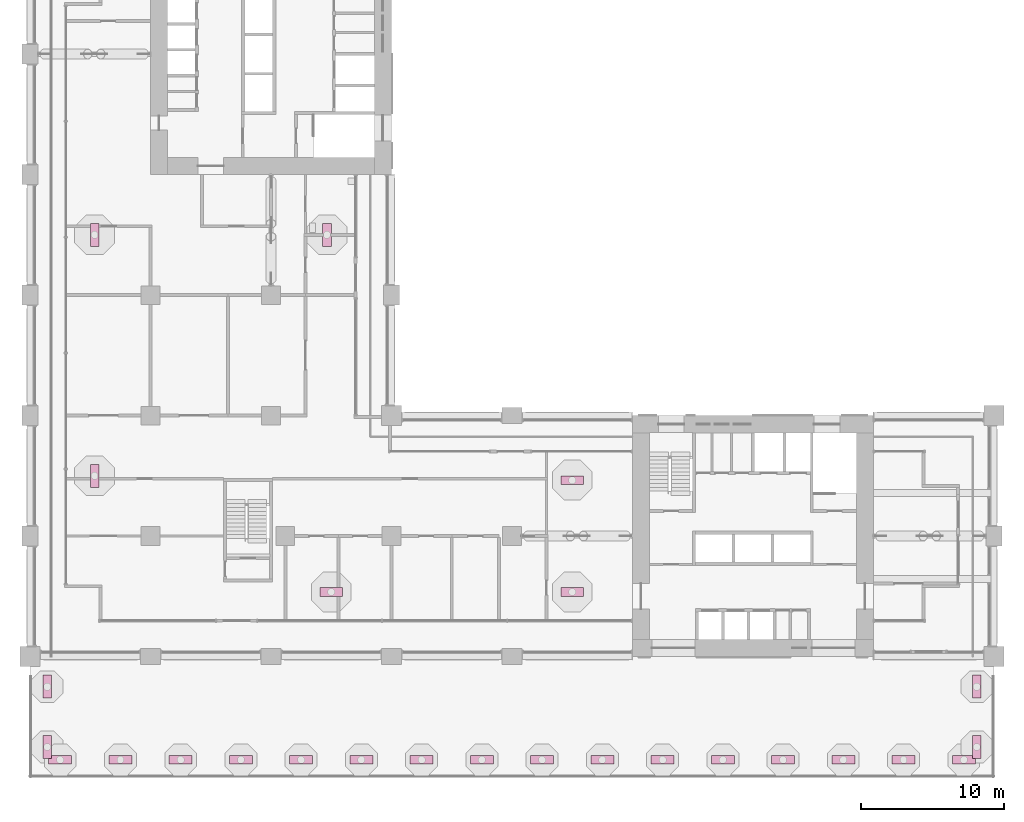
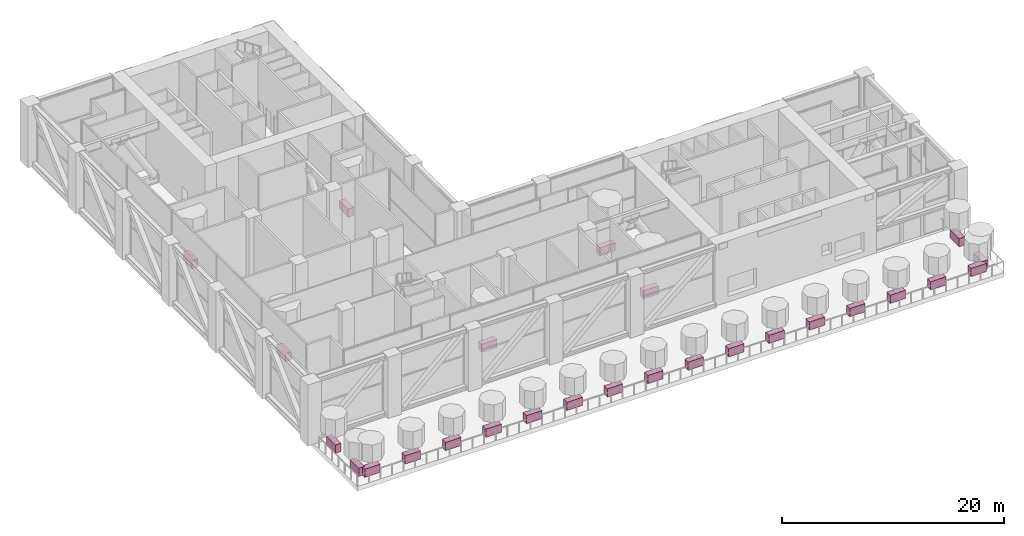
# One storey, part 26 of 28: 26 furniture elements.
"""IFC4 building model written with IfcOpenShell, lengths in metres."""

from ifc_helpers import new_model, si_unit, direction, frame, origin, origin_2d, place, context, subcontext, project, spatial, rectangle, extrude, material, element, save


model = new_model("IFC4")

# Units and contexts
model_context = context("Model", 3, precision=1e-05, world=origin(), true_north=direction((0.0, 1.0)))
body_context = subcontext(model_context, "Body", "Model", "MODEL_VIEW")
ifc_project = project(units=[si_unit("LENGTHUNIT", "METRE"), si_unit("AREAUNIT", "SQUARE_METRE"), si_unit("VOLUMEUNIT", "CUBIC_METRE"), si_unit("PLANEANGLEUNIT", "RADIAN"), si_unit("MASSUNIT", "GRAM", prefix="KILO")], contexts=[model_context])

# Site, building, storey
site_placement = place(None, origin())
site = spatial("IfcSite", under=ifc_project, at=site_placement, CompositionType="ELEMENT")
building_placement = place(site_placement, origin())
building = spatial("IfcBuilding", under=site, at=building_placement, Name="Vermilion Gate Residences", CompositionType="ELEMENT")
storey_placement = place(building_placement, frame((0.0, 0.0, 74.199951171875)))
storey = spatial("IfcBuildingStorey", under=building, at=storey_placement, Name="L18", CompositionType="ELEMENT", Elevation=74.199951171875)

# Furniture
ifc_material = material(Name="Terracotta planter", Category="masonry")
for number, where, z_axis, x_axis, name in (
    (1, (66.0, 2.10009765625, 0.0), (0.0, 0.0, 1.0), (0.0, 1.0, 0.0), "PLANTER"),
    (2, (66.0, 6.300048828125, 0.0), (0.0, 0.0, 1.0), (0.0, 1.0, 0.0), "PLANTER"),
    (3, (1.199951171875, 6.300048828125, 0.0), (0.0, 0.0, 1.0), (0.0, -1.0, 0.0), "PLANTER"),
    (4, (1.199951171875, 2.10009765625, 0.0), (0.0, 0.0, 1.0), (0.0, -1.0, 0.0), "PLANTER"),
    (5, (2.10009765625, 1.199951171875, 0.0), (0.0, 0.0, 1.0), (1.0, 0.0, 0.0), "PLANTER"),
    (6, (6.300048828125, 1.199951171875, 0.0), (0.0, 0.0, 1.0), (1.0, 0.0, 0.0), "PLANTER"),
    (7, (10.5, 1.199951171875, 0.0), (0.0, 0.0, 1.0), (1.0, 0.0, 0.0), "PLANTER"),
    (8, (14.699951171875, 1.199951171875, 0.0), (0.0, 0.0, 1.0), (1.0, 0.0, 0.0), "PLANTER"),
    (9, (18.89990234375, 1.199951171875, 0.0), (0.0, 0.0, 1.0), (1.0, 0.0, 0.0), "PLANTER"),
    (10, (23.10009765625, 1.199951171875, 0.0), (0.0, 0.0, 1.0), (1.0, 0.0, 0.0), "PLANTER"),
    (11, (27.300048828125, 1.199951171875, 0.0), (0.0, 0.0, 1.0), (1.0, 0.0, 0.0), "PLANTER"),
    (12, (31.5, 1.199951171875, 0.0), (0.0, 0.0, 1.0), (1.0, 0.0, 0.0), "PLANTER"),
    (13, (35.699951171875, 1.199951171875, 0.0), (0.0, 0.0, 1.0), (1.0, 0.0, 0.0), "PLANTER"),
    (14, (39.89990234375, 1.199951171875, 0.0), (0.0, 0.0, 1.0), (1.0, 0.0, 0.0), "PLANTER"),
    (15, (44.10009765625, 1.199951171875, 0.0), (0.0, 0.0, 1.0), (1.0, 0.0, 0.0), "PLANTER"),
    (16, (48.300048828125, 1.199951171875, 0.0), (0.0, 0.0, 1.0), (1.0, 0.0, 0.0), "PLANTER"),
    (17, (52.5, 1.199951171875, 0.0), (0.0, 0.0, 1.0), (1.0, 0.0, 0.0), "PLANTER"),
    (18, (56.699951171875, 1.199951171875, 0.0), (0.0, 0.0, 1.0), (1.0, 0.0, 0.0), "PLANTER"),
    (19, (60.89990234375, 1.199951171875, 0.0), (0.0, 0.0, 1.0), (1.0, 0.0, 0.0), "PLANTER"),
    (20, (65.10009765625, 1.199951171875, 0.0), (0.0, 0.0, 1.0), (1.0, 0.0, 0.0), "PLANTER"),
    (21, (4.5, 21.0, 0.0), (0.0, 0.0, 1.0), (0.0, -1.0, 0.0), "PLANTER"),
    (22, (4.5, 37.800048828125, 0.0), (0.0, 0.0, 1.0), (0.0, -1.0, 0.0), "PLANTER"),
    (23, (21.0, 12.89990234375, 0.0), (0.0, 0.0, 1.0), (1.0, 0.0, 0.0), "PLANTER"),
    (24, (37.800048828125, 12.89990234375, 0.0), (0.0, 0.0, 1.0), (1.0, 0.0, 0.0), "PLANTER"),
    (25, (37.800048828125, 20.699951171875, 0.0), (0.0, 0.0, 1.0), (-1.0, 0.0, 0.0), "PLANTER"),
    (26, (20.699951171875, 37.800048828125, 0.0), (0.0, 0.0, 1.0), (0.0, 1.0, 0.0), "PLANTER"),
):
    element("IfcFurniture", number, at=place(storey_placement, frame(where, z_axis=z_axis, x_axis=x_axis)), inside=storey, material=ifc_material, Name=name, ObjectType="PLANTER", PredefinedType="USERDEFINED", context=body_context, shape_type="SweptSolid", body=[
        extrude(rectangle(XDim=1.60009765625, YDim=0.60009765625, at=origin_2d()), origin(), (0.0, 0.0, 1.0), 0.89990234375),
    ])

save(model, "model.ifc")
